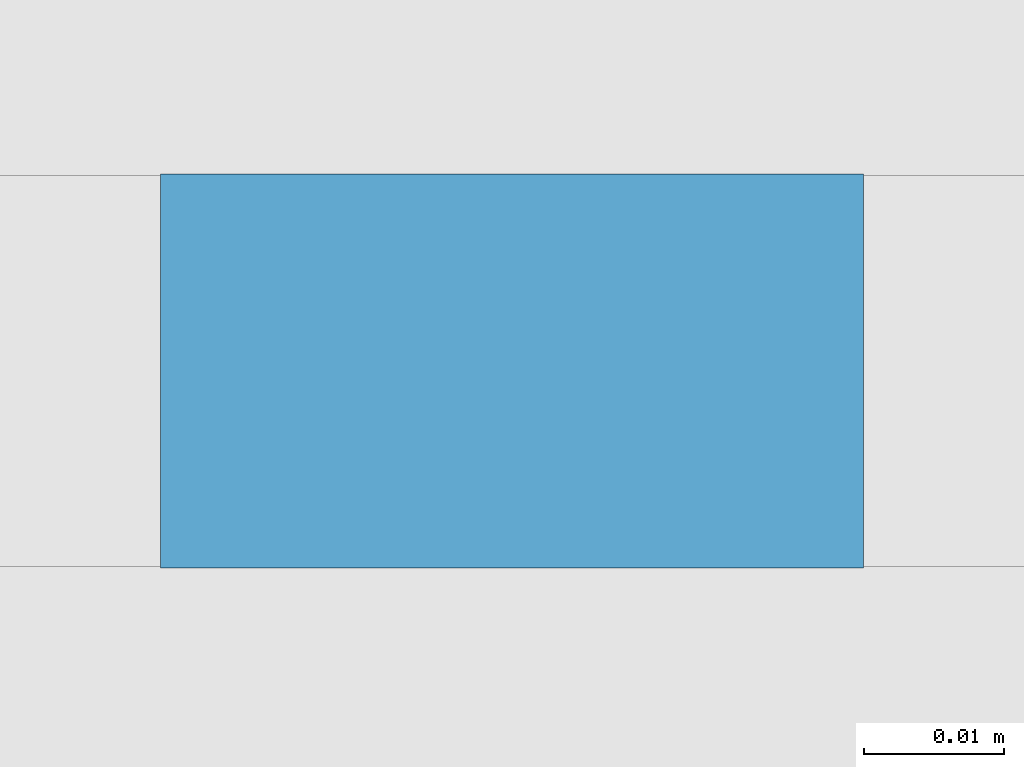
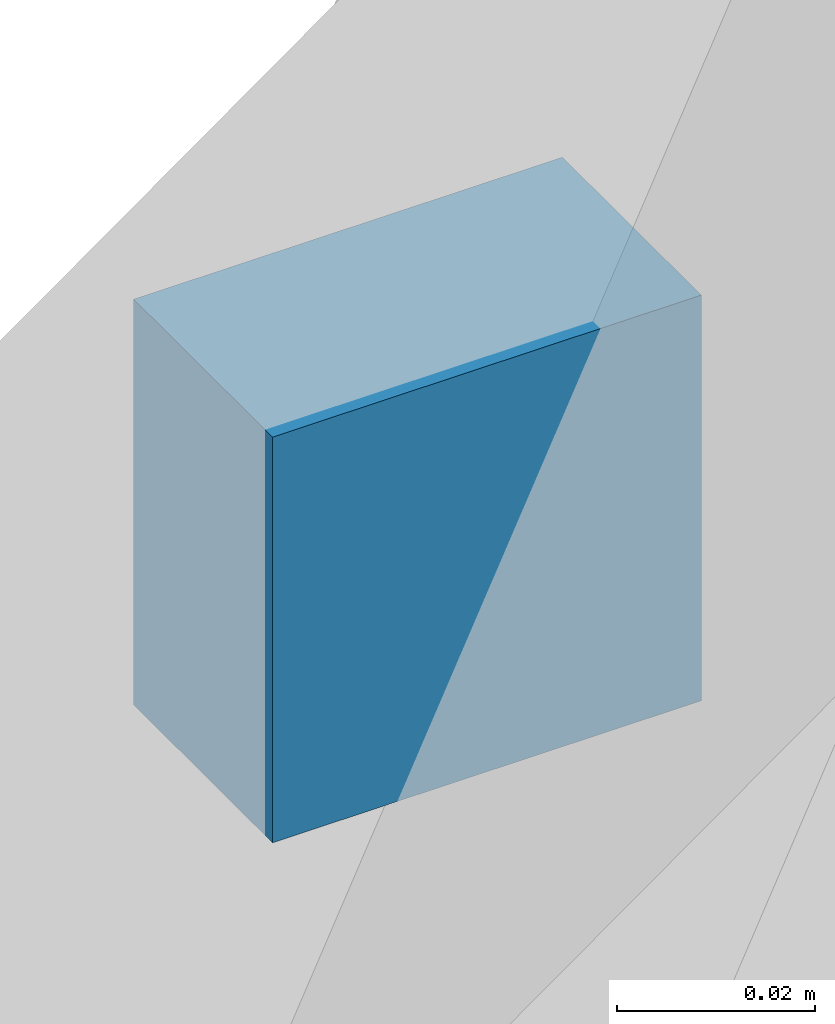
# One storey, part 20 of 24: 1 discrete accessory, 1 element without a shape of its own.
"""IFC4 building model written with IfcOpenShell, lengths in metres."""

from ifc_helpers import new_model, si_unit, direction, frame, origin, origin_2d, place, context, subcontext, project, spatial, rectangle, extrude, material, type_object, element, aggregate, save


model = new_model("IFC4")

# Units and contexts
model_context = context("Model", 3, precision=1e-05, world=origin(), true_north=direction((0.0, 1.0)))
body_context = subcontext(model_context, "Body", "Model", "MODEL_VIEW")
ifc_project = project(units=[si_unit("LENGTHUNIT", "METRE"), si_unit("AREAUNIT", "SQUARE_METRE"), si_unit("VOLUMEUNIT", "CUBIC_METRE"), si_unit("PLANEANGLEUNIT", "RADIAN"), si_unit("MASSUNIT", "GRAM", prefix="KILO")], contexts=[model_context])

# Site, building, storey
site_placement = place(None, origin())
site = spatial("IfcSite", under=ifc_project, at=site_placement, CompositionType="ELEMENT")
building_placement = place(site_placement, origin())
building = spatial("IfcBuilding", under=site, at=building_placement, Name="Tessera Arch", CompositionType="ELEMENT")
storey_placement = place(building_placement, frame((0.0, 0.0, 81.60009765625)))
storey = spatial("IfcBuildingStorey", under=building, at=storey_placement, Name="L18", CompositionType="ELEMENT", Elevation=81.60009765625)

# Curtain wall, discrete accessory
ifc_material = material(Name="CW3 curtain wall")
curtain_wall_type = type_object("IfcCurtainWallType", Name="CW3 curtain wall", PredefinedType="NOTDEFINED", material=ifc_material)
curtain_wall_placement = place(storey_placement, origin())
curtain_wall = element("IfcCurtainWall", 1, at=curtain_wall_placement, inside=storey, type_object=curtain_wall_type, Name="CW3 curtain wall N54.0/2 L18", PredefinedType="NOTDEFINED")
discrete_accessory_placement = place(storey_placement, frame((22.064453125, 54.0439453125, 0.89453125), z_axis=(0.0, 0.0, 1.0), x_axis=(-1.0, 0.0, 0.0)))
discrete_accessory = element("IfcDiscreteAccessory", 2, at=discrete_accessory_placement, Name="Glazing bracket", PredefinedType="BRACKET", context=body_context, shape_type="SweptSolid", body=[
    extrude(rectangle(XDim=0.050048828125, YDim=0.028076171875, at=origin_2d()), origin(), (0.0, 0.0, 1.0), 0.050048828125),
])
aggregate(curtain_wall, [discrete_accessory])

save(model, "model.ifc")
